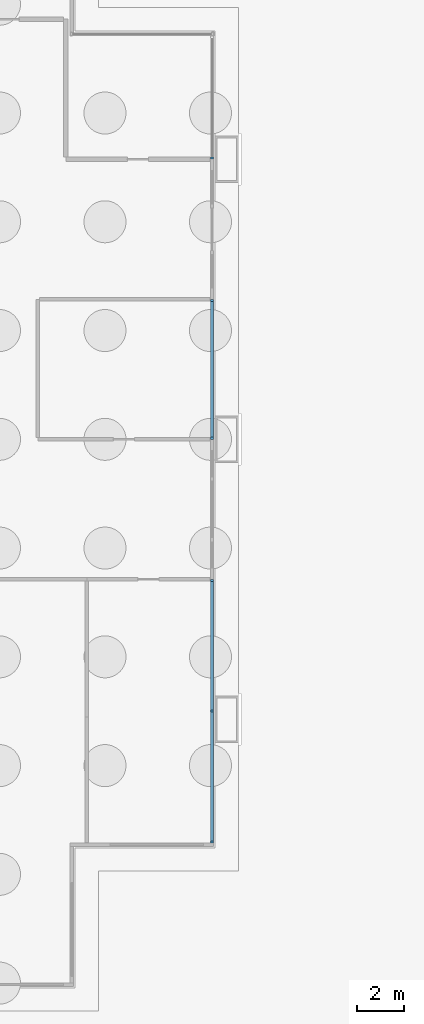
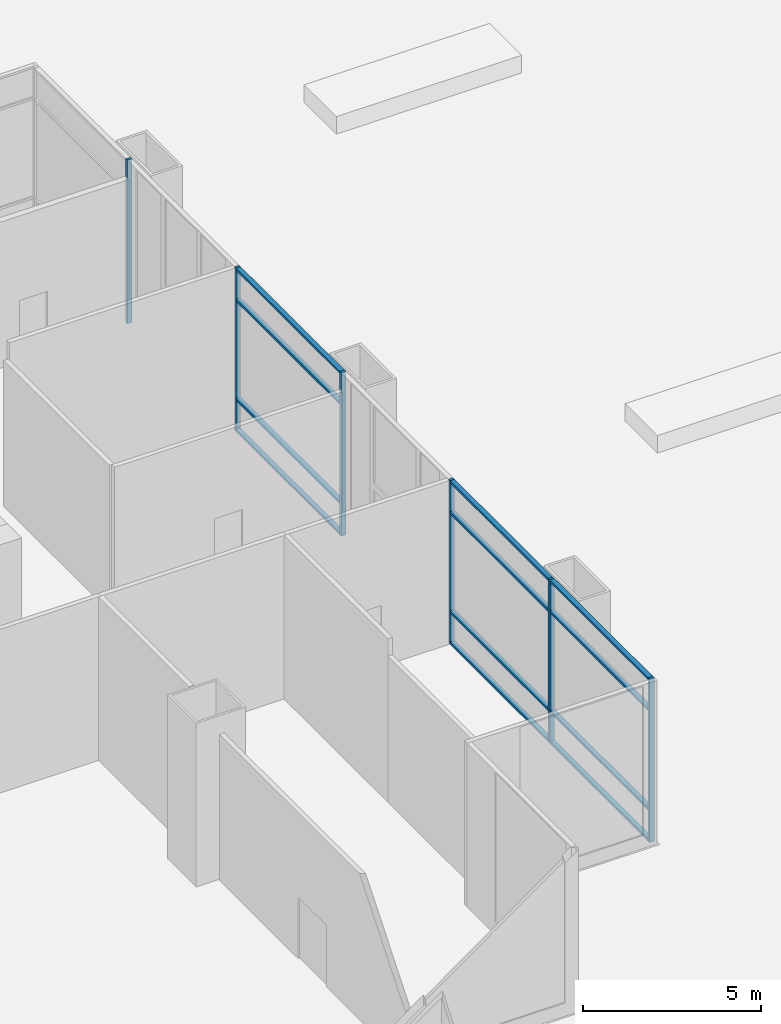
# One storey, part 12 of 29: 18 members, 3 elements without a shape of their own.
"""IFC4 building model written with IfcOpenShell, lengths in metres."""

import ifcopenshell
import ifcopenshell.guid

model = None  # the IFC model being written
_history = None  # IfcOwnerHistory: only IFC2X3 demands one
_inside = {}  # id of a spatial element -> (the spatial element, [elements in it])
_under = {}  # id of a project, library or spatial element -> (it, [spatial elements below it])
_declared = {}  # id of a project -> (the project, [libraries it declares])
_typed = {}  # id of a type object -> (the type object, [elements of that type])
_made_of = {}  # id of a material, layer set ... -> (it, [elements and type objects made of it])


def new_model(schema):
    """Start an empty IFC model of exactly this schema.

    Asked for "IFC4X3", IfcOpenShell would pick the latest addendum, in which some entities
    have other attributes; the version numbers below select the first issue.
    IFC2X3 requires an IfcOwnerHistory on every rooted entity: one is made here for all.
    """
    global model, _history
    if schema == "IFC4X3":
        model = ifcopenshell.file(schema_version=(4, 3, 0, 0))
    else:
        model = ifcopenshell.file(schema=schema)
    _inside.clear()
    _under.clear()
    _declared.clear()
    _typed.clear()
    _made_of.clear()
    _history = None
    if model.schema == "IFC2X3":
        org = make("IfcOrganization", Name="unknown")
        user = make(
            "IfcPersonAndOrganization",
            ThePerson=make("IfcPerson", FamilyName="unknown"),
            TheOrganization=org,
        )
        app = make(
            "IfcApplication",
            ApplicationDeveloper=org,
            Version="unknown",
            ApplicationFullName="unknown",
            ApplicationIdentifier="unknown",
        )
        _history = make(
            "IfcOwnerHistory",
            OwningUser=user,
            OwningApplication=app,
            ChangeAction="ADDED",
            CreationDate=0,
        )
    return model


def make(cls, **values):
    """One entity of the class cls with the attributes given. An attribute that is None is left unset."""
    return model.create_entity(
        cls, **{name: value for name, value in values.items() if value is not None}
    )


def rooted(cls, **values):
    """An entity with a GlobalId (a new one), such as an element, a storey or a relation."""
    return make(cls, GlobalId=ifcopenshell.guid.new(), OwnerHistory=_history, **values)


def si_unit(unit_type, name, prefix=None):
    """IfcSIUnit, for example si_unit("LENGTHUNIT", "METRE", prefix="MILLI")."""
    return make("IfcSIUnit", UnitType=unit_type, Prefix=prefix, Name=name)


def assignment(units):
    """IfcUnitAssignment: the units of a project."""
    return None if units is None else make("IfcUnitAssignment", Units=units)


def point(xyz):
    """IfcCartesianPoint."""
    return None if xyz is None else make("IfcCartesianPoint", Coordinates=xyz)


def direction(xyz):
    """IfcDirection."""
    return None if xyz is None else make("IfcDirection", DirectionRatios=xyz)


def frame(location, z_axis=None, x_axis=None):
    """IfcAxis2Placement3D, a coordinate frame: its origin and axes. An axis left out is left unset."""
    return make(
        "IfcAxis2Placement3D",
        Location=point(location),
        Axis=direction(z_axis),
        RefDirection=direction(x_axis),
    )


def frame_2d(location, x_axis=None):
    """IfcAxis2Placement2D, a coordinate frame in the plane: its origin and x axis."""
    return make(
        "IfcAxis2Placement2D", Location=point(location), RefDirection=direction(x_axis)
    )


def origin():
    """The frame at (0, 0, 0) with its axes left unset."""
    return frame((0.0, 0.0, 0.0))


def origin_2d():
    """The frame at (0, 0) in the plane with its x axis left unset."""
    return frame_2d((0.0, 0.0))


def place(relative_to, where):
    """IfcLocalPlacement: puts the frame where relative to a parent placement (None: the world)."""
    return make(
        "IfcLocalPlacement", PlacementRelTo=relative_to, RelativePlacement=where
    )


def context(
    kind, dimensions, precision=None, world=None, true_north=None, identifier=None
):
    """IfcGeometricRepresentationContext, for example the 3D "Model" context."""
    return make(
        "IfcGeometricRepresentationContext",
        ContextIdentifier=identifier,
        ContextType=kind,
        CoordinateSpaceDimension=dimensions,
        Precision=precision,
        WorldCoordinateSystem=world,
        TrueNorth=true_north,
    )


def subcontext(parent, identifier, kind, view, scale=None):
    """IfcGeometricRepresentationSubContext, for example "Body" below "Model"."""
    return make(
        "IfcGeometricRepresentationSubContext",
        ContextIdentifier=identifier,
        ContextType=kind,
        ParentContext=parent,
        TargetScale=scale,
        TargetView=view,
    )


def project(units=None, contexts=None):
    """IfcProject with its units and contexts."""
    return rooted(
        "IfcProject",
        Name="project",
        RepresentationContexts=contexts,
        UnitsInContext=assignment(units),
    )


def spatial(cls, under=None, at=None, **own):
    """A site, building, storey or space (cls), placed at a placement, below another one or the project."""
    s = rooted(cls, ObjectPlacement=at, **own)
    if under is not None:
        _under.setdefault(under.id(), (under, []))[1].append(s)
    return s


def profile(cls, at=None, kind="AREA", **sizes):
    """A parametric profile (cls). Its sizes go by their IFC names, for example OverallWidth=200.0."""
    return make(cls, ProfileType=kind, Position=at, **sizes)


def rectangle(**sizes):
    """IfcRectangleProfileDef."""
    return profile("IfcRectangleProfileDef", **sizes)


def extrude(swept, where, along, depth):
    """IfcExtrudedAreaSolid: the profile swept, set in the frame where, extruded along a direction by depth."""
    return make(
        "IfcExtrudedAreaSolid",
        SweptArea=swept,
        Position=where,
        ExtrudedDirection=direction(along),
        Depth=depth,
    )


def shape(context_of_items, identifier, shape_type, items):
    """IfcShapeRepresentation: the items that make up one representation, for example the "Body"."""
    return make(
        "IfcShapeRepresentation",
        ContextOfItems=context_of_items,
        RepresentationIdentifier=identifier,
        RepresentationType=shape_type,
        Items=items,
    )


def material(Name=None, Category=None):
    """IfcMaterial."""
    return make("IfcMaterial", Name=Name, Category=Category)


def material_profile(
    of_material, cross_section, Name=None, Category=None, Priority=None
):
    """IfcMaterialProfile: a cross section and its material."""
    return make(
        "IfcMaterialProfile",
        Name=Name,
        Material=of_material,
        Profile=cross_section,
        Priority=Priority,
        Category=Category,
    )


def profile_set(profiles, Name=None, composite=None):
    """IfcMaterialProfileSet."""
    return make(
        "IfcMaterialProfileSet",
        Name=Name,
        MaterialProfiles=profiles,
        CompositeProfile=composite,
    )


def made_of(thing, what):
    """Note that an element or type object is made of a material, layer set ...; save() writes the relation."""
    if what is not None:
        _made_of.setdefault(what.id(), (what, []))[1].append(thing)
    return thing


def type_object(cls, material=None, **own):
    """A type object (cls), such as IfcWallType, which elements share."""
    return made_of(rooted(cls, **own), material)


def element(
    cls,
    number,
    at=None,
    inside=None,
    cuts=None,
    type_object=None,
    material=None,
    context=None,
    identifier="Body",
    shape_type=None,
    held_by="IfcProductDefinitionShape",
    body=None,
    shapes=None,
    **own,
):
    """One element of the class cls, such as IfcWall. Its Tag is "e" and its number.

    at: its placement. inside: the storey or other place that contains it. cuts: it is an
    opening in that element (IfcRelVoidsElement). A single representation is given by context,
    identifier, shape_type and body (its items); several are given by shapes. held_by: the class
    of the entity that holds the representations. save() writes the other relations.
    """
    e = rooted(cls, Tag="e%d" % number, ObjectPlacement=at, **own)
    if body is not None:
        shapes = [shape(context, identifier, shape_type, body)]
    if shapes is not None:
        e.Representation = make(held_by, Representations=shapes)
    if inside is not None:
        _inside.setdefault(inside.id(), (inside, []))[1].append(e)
    if cuts is not None:
        rooted(
            "IfcRelVoidsElement", RelatingBuildingElement=cuts, RelatedOpeningElement=e
        )
    if type_object is not None:
        _typed.setdefault(type_object.id(), (type_object, []))[1].append(e)
    return made_of(e, material)


def aggregate(whole, parts):
    """IfcRelAggregates: a whole, such as a stair, and the parts it consists of."""
    return rooted("IfcRelAggregates", RelatingObject=whole, RelatedObjects=parts)


def save(model, path):
    """Write the relations noted so far, then the file.

    IfcRelAggregates (storeys below a building ...), IfcRelContainedInSpatialStructure (elements
    in a storey), IfcRelDefinesByType, IfcRelAssociatesMaterial and IfcRelDeclares: one each for
    every whole, place, type object, material and project.
    """
    for whole, parts in _under.values():
        aggregate(whole, parts)
    for where, things in _inside.values():
        rooted(
            "IfcRelContainedInSpatialStructure",
            RelatedElements=things,
            RelatingStructure=where,
        )
    for kind, things in _typed.values():
        rooted("IfcRelDefinesByType", RelatedObjects=things, RelatingType=kind)
    for what, things in _made_of.values():
        rooted("IfcRelAssociatesMaterial", RelatedObjects=things, RelatingMaterial=what)
    for by, libraries in _declared.values():
        rooted("IfcRelDeclares", RelatingContext=by, RelatedDefinitions=libraries)
    model.write(path)


model = new_model("IFC4")

# Units and contexts
model_context = context("Model", 3, precision=1e-05, world=origin(), true_north=direction((0.0, 1.0)))
body_context = subcontext(model_context, "Body", "Model", "MODEL_VIEW")
ifc_project = project(units=[si_unit("LENGTHUNIT", "METRE"), si_unit("AREAUNIT", "SQUARE_METRE"), si_unit("VOLUMEUNIT", "CUBIC_METRE"), si_unit("PLANEANGLEUNIT", "RADIAN"), si_unit("MASSUNIT", "GRAM", prefix="KILO")], contexts=[model_context])

# Site, building, storey
site_placement = place(None, origin())
site = spatial("IfcSite", under=ifc_project, at=site_placement, CompositionType="ELEMENT")
building_placement = place(site_placement, origin())
building = spatial("IfcBuilding", under=site, at=building_placement, Name="Kitamizu Gate Tower and Museum", CompositionType="ELEMENT")
storey_placement = place(building_placement, origin())
storey = spatial("IfcBuildingStorey", under=building, at=storey_placement, Name="L00", CompositionType="ELEMENT", Elevation=0.0)

# Curtain wall, members
ifc_material_1 = material(Name="Bronze anodised aluminium frame, tinted triple glazing", Category="aluminium")
curtain_wall_type = type_object("IfcCurtainWallType", Name="CURTAIN WALL TYPE A PODIUM", PredefinedType="NOTDEFINED", material=ifc_material_1)
curtain_wall_1_placement = place(storey_placement, origin())
curtain_wall_1 = element("IfcCurtainWall", 1, at=curtain_wall_1_placement, inside=storey, type_object=curtain_wall_type, Name="Curtain wall CW-A east L00", PredefinedType="NOTDEFINED")
ifc_material_2 = material(Name="Bronze anodised aluminium", Category="aluminium")
ifc_material_profile_1 = material_profile(ifc_material_2, rectangle(XDim=0.090087890625, YDim=0.14990234375, at=origin_2d()), Name="AL 90X150")
ifc_profile_set_1 = profile_set([ifc_material_profile_1], Name="Bronze anodised aluminium")
member_type_1 = type_object("IfcMemberType", Name="MULLION 90 X 150 TYPE A", PredefinedType="MULLION", material=ifc_profile_set_1)
member_1_placement = place(storey_placement, frame((71.364990234375, 6.7548828125, 0.0), z_axis=(0.0, 0.0, 1.0), x_axis=(0.0, 1.0, 0.0)))
member_1 = element("IfcMember", 2, at=member_1_placement, type_object=member_type_1, Name="CW-A mullion 1", PredefinedType="MULLION", context=body_context, shape_type="SweptSolid", body=[
    extrude(rectangle(XDim=0.090087890625, YDim=0.14990234375, at=origin_2d()), origin(), (0.0, 0.0, 1.0), 5.60009765625),
])
member_2_placement = place(storey_placement, frame((71.364990234375, 12.35498046875, 0.0), z_axis=(0.0, 0.0, 1.0), x_axis=(0.0, 1.0, 0.0)))
member_2 = element("IfcMember", 3, at=member_2_placement, type_object=member_type_1, Name="CW-A mullion 2", PredefinedType="MULLION", context=body_context, shape_type="SweptSolid", body=[
    extrude(rectangle(XDim=0.090087890625, YDim=0.14990234375, at=origin_2d()), origin(), (0.0, 0.0, 1.0), 5.60009765625),
])
member_3_placement = place(storey_placement, frame((71.364990234375, 17.955078125, 0.0), z_axis=(0.0, 0.0, 1.0), x_axis=(0.0, 1.0, 0.0)))
member_3 = element("IfcMember", 4, at=member_3_placement, type_object=member_type_1, Name="CW-A mullion 3", PredefinedType="MULLION", context=body_context, shape_type="SweptSolid", body=[
    extrude(rectangle(XDim=0.090087890625, YDim=0.14990234375, at=origin_2d()), origin(), (0.0, 0.0, 1.0), 5.60009765625),
])

curtain_wall_2_placement = place(storey_placement, origin())
curtain_wall_2 = element("IfcCurtainWall", 5, at=curtain_wall_2_placement, inside=storey, type_object=curtain_wall_type, Name="Curtain wall CW-A east L00", PredefinedType="NOTDEFINED")
member_4_placement = place(storey_placement, frame((71.364990234375, 24.044921875, 0.0), z_axis=(0.0, 0.0, 1.0), x_axis=(0.0, 1.0, 0.0)))
member_4 = element("IfcMember", 6, at=member_4_placement, type_object=member_type_1, Name="CW-A mullion 1", PredefinedType="MULLION", context=body_context, shape_type="SweptSolid", body=[
    extrude(rectangle(XDim=0.090087890625, YDim=0.14990234375, at=origin_2d()), origin(), (0.0, 0.0, 1.0), 5.60009765625),
])
member_5_placement = place(storey_placement, frame((71.364990234375, 29.955078125, 0.0), z_axis=(0.0, 0.0, 1.0), x_axis=(0.0, 1.0, 0.0)))
member_5 = element("IfcMember", 7, at=member_5_placement, type_object=member_type_1, Name="CW-A mullion 2", PredefinedType="MULLION", context=body_context, shape_type="SweptSolid", body=[
    extrude(rectangle(XDim=0.090087890625, YDim=0.14990234375, at=origin_2d()), origin(), (0.0, 0.0, 1.0), 5.60009765625),
])

# Curtain wall, member
curtain_wall_3_placement = place(storey_placement, origin())
curtain_wall_3 = element("IfcCurtainWall", 8, at=curtain_wall_3_placement, inside=storey, type_object=curtain_wall_type, Name="Curtain wall CW-A east L00", PredefinedType="NOTDEFINED")
member_6_placement = place(storey_placement, frame((71.364990234375, 36.044921875, 0.0), z_axis=(0.0, 0.0, 1.0), x_axis=(0.0, 1.0, 0.0)))
member_6 = element("IfcMember", 9, at=member_6_placement, type_object=member_type_1, Name="CW-A mullion 1", PredefinedType="MULLION", context=body_context, shape_type="SweptSolid", body=[
    extrude(rectangle(XDim=0.090087890625, YDim=0.14990234375, at=origin_2d()), origin(), (0.0, 0.0, 1.0), 5.60009765625),
])
aggregate(curtain_wall_3, [member_6])

# Member
ifc_material_3 = material(Name="Bronze anodised aluminium", Category="aluminium")
ifc_material_profile_2 = material_profile(ifc_material_3, rectangle(XDim=0.14990234375, YDim=0.080078125, at=origin_2d()), Name="AL 80X150")
ifc_profile_set_2 = profile_set([ifc_material_profile_2], Name="Bronze anodised aluminium")
member_type_2 = type_object("IfcMemberType", Name="TRANSOM 80 X 150 TYPE A", PredefinedType="USERDEFINED", material=ifc_profile_set_2)
member_7_placement = place(storey_placement, frame((71.364990234375, 6.800048828125, 0.0400390625), z_axis=(0.0, 1.0, 0.0), x_axis=(-1.0, 0.0, 0.0)))
member_7 = element("IfcMember", 10, at=member_7_placement, type_object=member_type_2, Name="CW-A transom 1.1", ObjectType="TRANSOM", PredefinedType="USERDEFINED", context=body_context, shape_type="SweptSolid", body=[
    extrude(rectangle(XDim=0.14990234375, YDim=0.080078125, at=origin_2d()), origin(), (0.0, 0.0, 1.0), 5.510009765625),
])

member_8_placement = place(storey_placement, frame((71.364990234375, 6.800048828125, 1.10009765625), z_axis=(0.0, 1.0, 0.0), x_axis=(-1.0, 0.0, 0.0)))
member_8 = element("IfcMember", 11, at=member_8_placement, type_object=member_type_2, Name="CW-A transom 1.2", ObjectType="TRANSOM", PredefinedType="USERDEFINED", context=body_context, shape_type="SweptSolid", body=[
    extrude(rectangle(XDim=0.14990234375, YDim=0.080078125, at=origin_2d()), origin(), (0.0, 0.0, 1.0), 5.510009765625),
])

member_9_placement = place(storey_placement, frame((71.364990234375, 6.800048828125, 4.5), z_axis=(0.0, 1.0, 0.0), x_axis=(-1.0, 0.0, 0.0)))
member_9 = element("IfcMember", 12, at=member_9_placement, type_object=member_type_2, Name="CW-A transom 1.3", ObjectType="TRANSOM", PredefinedType="USERDEFINED", context=body_context, shape_type="SweptSolid", body=[
    extrude(rectangle(XDim=0.14990234375, YDim=0.080078125, at=origin_2d()), origin(), (0.0, 0.0, 1.0), 5.510009765625),
])

member_10_placement = place(storey_placement, frame((71.364990234375, 6.800048828125, 5.56005859375), z_axis=(0.0, 1.0, 0.0), x_axis=(-1.0, 0.0, 0.0)))
member_10 = element("IfcMember", 13, at=member_10_placement, type_object=member_type_2, Name="CW-A transom 1.4", ObjectType="TRANSOM", PredefinedType="USERDEFINED", context=body_context, shape_type="SweptSolid", body=[
    extrude(rectangle(XDim=0.14990234375, YDim=0.080078125, at=origin_2d()), origin(), (0.0, 0.0, 1.0), 5.510009765625),
])

member_11_placement = place(storey_placement, frame((71.364990234375, 12.39990234375, 0.0400390625), z_axis=(0.0, 1.0, 0.0), x_axis=(-1.0, 0.0, 0.0)))
member_11 = element("IfcMember", 14, at=member_11_placement, type_object=member_type_2, Name="CW-A transom 2.1", ObjectType="TRANSOM", PredefinedType="USERDEFINED", context=body_context, shape_type="SweptSolid", body=[
    extrude(rectangle(XDim=0.14990234375, YDim=0.080078125, at=origin_2d()), origin(), (0.0, 0.0, 1.0), 5.510009765625),
])

member_12_placement = place(storey_placement, frame((71.364990234375, 12.39990234375, 1.10009765625), z_axis=(0.0, 1.0, 0.0), x_axis=(-1.0, 0.0, 0.0)))
member_12 = element("IfcMember", 15, at=member_12_placement, type_object=member_type_2, Name="CW-A transom 2.2", ObjectType="TRANSOM", PredefinedType="USERDEFINED", context=body_context, shape_type="SweptSolid", body=[
    extrude(rectangle(XDim=0.14990234375, YDim=0.080078125, at=origin_2d()), origin(), (0.0, 0.0, 1.0), 5.510009765625),
])

member_13_placement = place(storey_placement, frame((71.364990234375, 12.39990234375, 4.5), z_axis=(0.0, 1.0, 0.0), x_axis=(-1.0, 0.0, 0.0)))
member_13 = element("IfcMember", 16, at=member_13_placement, type_object=member_type_2, Name="CW-A transom 2.3", ObjectType="TRANSOM", PredefinedType="USERDEFINED", context=body_context, shape_type="SweptSolid", body=[
    extrude(rectangle(XDim=0.14990234375, YDim=0.080078125, at=origin_2d()), origin(), (0.0, 0.0, 1.0), 5.510009765625),
])

member_14_placement = place(storey_placement, frame((71.364990234375, 12.39990234375, 5.56005859375), z_axis=(0.0, 1.0, 0.0), x_axis=(-1.0, 0.0, 0.0)))
member_14 = element("IfcMember", 17, at=member_14_placement, type_object=member_type_2, Name="CW-A transom 2.4", ObjectType="TRANSOM", PredefinedType="USERDEFINED", context=body_context, shape_type="SweptSolid", body=[
    extrude(rectangle(XDim=0.14990234375, YDim=0.080078125, at=origin_2d()), origin(), (0.0, 0.0, 1.0), 5.510009765625),
])

aggregate(curtain_wall_1, [member_1, member_2, member_3, member_7, member_8, member_9, member_10, member_11, member_12, member_13, member_14])

member_15_placement = place(storey_placement, frame((71.364990234375, 24.090087890625, 0.0400390625), z_axis=(0.0, 1.0, 0.0), x_axis=(-1.0, 0.0, 0.0)))
member_15 = element("IfcMember", 18, at=member_15_placement, type_object=member_type_2, Name="CW-A transom 1.1", ObjectType="TRANSOM", PredefinedType="USERDEFINED", context=body_context, shape_type="SweptSolid", body=[
    extrude(rectangle(XDim=0.14990234375, YDim=0.080078125, at=origin_2d()), origin(), (0.0, 0.0, 1.0), 5.81982421875),
])

member_16_placement = place(storey_placement, frame((71.364990234375, 24.090087890625, 1.10009765625), z_axis=(0.0, 1.0, 0.0), x_axis=(-1.0, 0.0, 0.0)))
member_16 = element("IfcMember", 19, at=member_16_placement, type_object=member_type_2, Name="CW-A transom 1.2", ObjectType="TRANSOM", PredefinedType="USERDEFINED", context=body_context, shape_type="SweptSolid", body=[
    extrude(rectangle(XDim=0.14990234375, YDim=0.080078125, at=origin_2d()), origin(), (0.0, 0.0, 1.0), 5.81982421875),
])

member_17_placement = place(storey_placement, frame((71.364990234375, 24.090087890625, 4.5), z_axis=(0.0, 1.0, 0.0), x_axis=(-1.0, 0.0, 0.0)))
member_17 = element("IfcMember", 20, at=member_17_placement, type_object=member_type_2, Name="CW-A transom 1.3", ObjectType="TRANSOM", PredefinedType="USERDEFINED", context=body_context, shape_type="SweptSolid", body=[
    extrude(rectangle(XDim=0.14990234375, YDim=0.080078125, at=origin_2d()), origin(), (0.0, 0.0, 1.0), 5.81982421875),
])

member_18_placement = place(storey_placement, frame((71.364990234375, 24.090087890625, 5.56005859375), z_axis=(0.0, 1.0, 0.0), x_axis=(-1.0, 0.0, 0.0)))
member_18 = element("IfcMember", 21, at=member_18_placement, type_object=member_type_2, Name="CW-A transom 1.4", ObjectType="TRANSOM", PredefinedType="USERDEFINED", context=body_context, shape_type="SweptSolid", body=[
    extrude(rectangle(XDim=0.14990234375, YDim=0.080078125, at=origin_2d()), origin(), (0.0, 0.0, 1.0), 5.81982421875),
])

aggregate(curtain_wall_2, [member_4, member_5, member_15, member_16, member_17, member_18])

save(model, "model.ifc")
